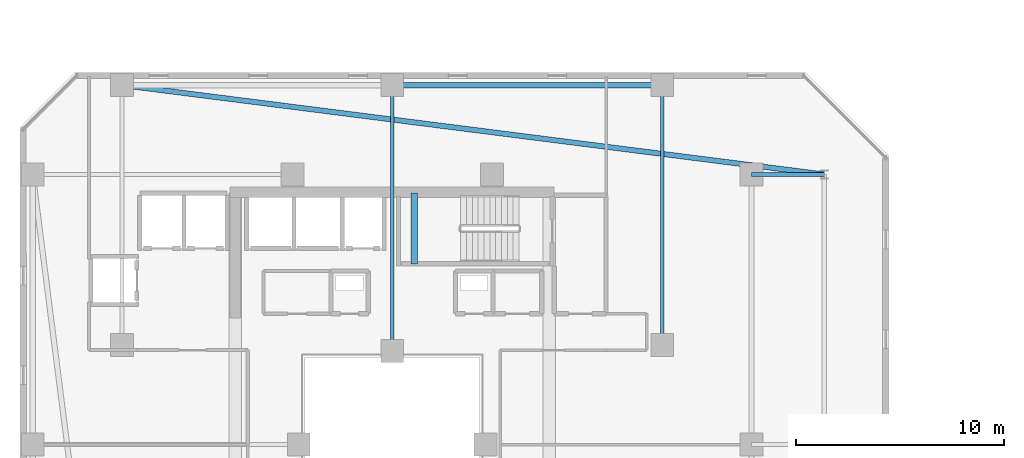
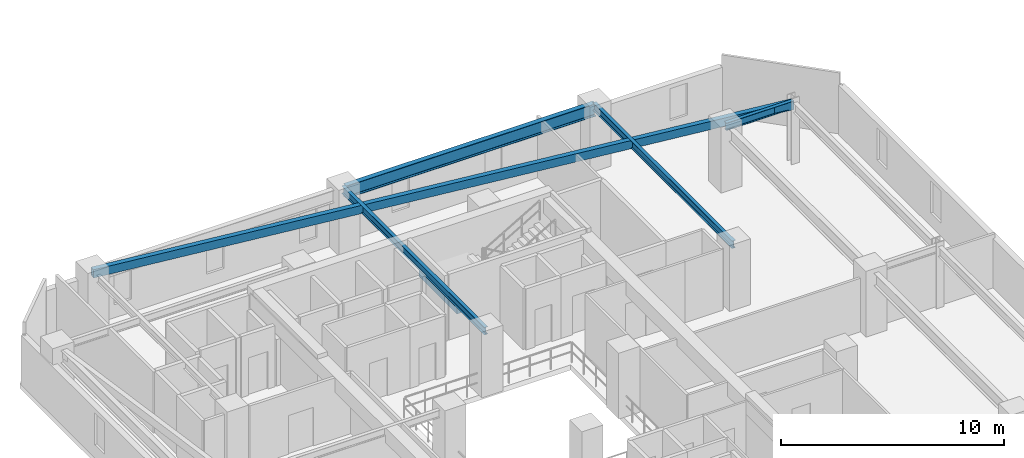
# One storey, part 9 of 32: 6 beams.
"""IFC4 building model written with IfcOpenShell, lengths in metres."""

from ifc_helpers import new_model, si_unit, direction, frame, origin, origin_2d, place, context, subcontext, project, spatial, rectangle, hollow_rectangle, i_section, extrude, material, material_profile, profile_set, type_object, element, save


model = new_model("IFC4")

# Units and contexts
model_context = context("Model", 3, precision=1e-05, world=origin(), true_north=direction((0.0, 1.0)))
body_context = subcontext(model_context, "Body", "Model", "MODEL_VIEW")
ifc_project = project(units=[si_unit("LENGTHUNIT", "METRE"), si_unit("AREAUNIT", "SQUARE_METRE"), si_unit("VOLUMEUNIT", "CUBIC_METRE"), si_unit("PLANEANGLEUNIT", "RADIAN"), si_unit("MASSUNIT", "GRAM", prefix="KILO")], contexts=[model_context])

# Site, building, storey
site_placement = place(None, origin())
site = spatial("IfcSite", under=ifc_project, at=site_placement, CompositionType="ELEMENT")
building_placement = place(site_placement, origin())
building = spatial("IfcBuilding", under=site, at=building_placement, Name="Thornwick Lancets Civic Towers", CompositionType="ELEMENT")
storey_placement = place(building_placement, frame((0.0, 0.0, 152.699951171875)))
storey = spatial("IfcBuildingStorey", under=building, at=storey_placement, Name="L40", CompositionType="ELEMENT", Elevation=152.699951171875)

# Beams
ifc_material_1 = material(Name="Steel S355JR", Category="steel")
ifc_material_profile_1 = material_profile(ifc_material_1, i_section(OverallWidth=0.255859375, OverallDepth=0.69287109375, WebThickness=0.014404296875, FlangeThickness=0.023681640625, FilletRadius=0.01513671875, at=origin_2d()), Name="UKB 686x254x170")
ifc_profile_set_1 = profile_set([ifc_material_profile_1], Name="Steel S355JR")
beam_type_1 = type_object("IfcBeamType", Name="BM_GIRD_686_170", PredefinedType="BEAM", material=ifc_profile_set_1)
beam_1_placement = place(storey_placement, frame((25.580078125, 44.300048828125, 3.013427734375), z_axis=(1.0, 0.0, 0.0), x_axis=(0.0, 1.0, 0.0)))
element("IfcBeam", 1, at=beam_1_placement, inside=storey, type_object=beam_type_1, Name="BM-SPINE-L40-A-7-8", PredefinedType="BEAM", context=body_context, shape_type="SweptSolid", body=[
    extrude(i_section(OverallWidth=0.255859375, OverallDepth=0.69287109375, WebThickness=0.014404296875, FlangeThickness=0.023681640625, FilletRadius=0.01513671875, at=origin_2d()), origin(), (0.0, 0.0, 1.0), 12.919921875),
])
ifc_material_profile_2 = material_profile(ifc_material_1, i_section(OverallWidth=0.179443359375, OverallDepth=0.412841796875, WebThickness=0.009521484375, FlangeThickness=0.01611328125, FilletRadius=0.01025390625, at=origin_2d()), Name="UKB 406x178x74")
ifc_profile_set_2 = profile_set([ifc_material_profile_2], Name="Steel S355JR")
beam_type_2 = type_object("IfcBeamType", Name="BM_JOIST_406_74", PredefinedType="JOIST", material=ifc_profile_set_2)
beam_2_placement = place(storey_placement, frame((42.800048828125, 40.0, 3.153564453125), z_axis=(1.0, 0.0, 0.0), x_axis=(0.0, 1.0, 0.0)))
element("IfcBeam", 2, at=beam_2_placement, inside=storey, type_object=beam_type_2, Name="BM-RAD-L40-A06", PredefinedType="JOIST", context=body_context, shape_type="SweptSolid", body=[
    extrude(i_section(OverallWidth=0.179443359375, OverallDepth=0.412841796875, WebThickness=0.009521484375, FlangeThickness=0.01611328125, FilletRadius=0.01025390625, at=origin_2d()), origin(), (0.0, 0.0, 1.0), 3.5),
])
beam_3_placement = place(storey_placement, frame((25.5, 31.5, 3.153564453125), z_axis=(0.0, 1.0, 0.0), x_axis=(-1.0, 0.0, 0.0)))
element("IfcBeam", 3, at=beam_3_placement, inside=storey, type_object=beam_type_2, Name="BM-RADIN-L40-A08", PredefinedType="JOIST", context=body_context, shape_type="SweptSolid", body=[
    extrude(i_section(OverallWidth=0.179443359375, OverallDepth=0.412841796875, WebThickness=0.009521484375, FlangeThickness=0.01611328125, FilletRadius=0.01025390625, at=origin_2d()), origin(), (0.0, 0.0, 1.0), 12.800048828125),
])
beam_4_placement = place(storey_placement, frame((38.5, 31.800048828125, 3.153564453125), z_axis=(0.0, 1.0, 0.0), x_axis=(-1.0, 0.0, 0.0)))
element("IfcBeam", 4, at=beam_4_placement, inside=storey, type_object=beam_type_2, Name="BM-RADIN-L40-A09", PredefinedType="JOIST", context=body_context, shape_type="SweptSolid", body=[
    extrude(i_section(OverallWidth=0.179443359375, OverallDepth=0.412841796875, WebThickness=0.009521484375, FlangeThickness=0.01611328125, FilletRadius=0.01025390625, at=origin_2d()), origin(), (0.0, 0.0, 1.0), 12.5),
])
ifc_material_profile_3 = material_profile(ifc_material_1, hollow_rectangle(XDim=0.25, YDim=0.449951171875, WallThickness=0.01611328125, at=origin_2d()), Name="RHS 450x250x16")
ifc_profile_set_3 = profile_set([ifc_material_profile_3], Name="Steel S355JR")
beam_type_3 = type_object("IfcBeamType", Name="BM_RING_RHS450", PredefinedType="BEAM", material=ifc_profile_set_3)
beam_5_placement = place(storey_placement, frame((46.300048828125, 40.0, 3.135009765625), z_axis=(-0.992004437051, 0.126202998662, 0.0), x_axis=(-0.126202998662, -0.992004437051, 0.0)))
element("IfcBeam", 5, at=beam_5_placement, inside=storey, type_object=beam_type_3, Name="BM-CHAMF-L40-A-C1", PredefinedType="BEAM", context=body_context, shape_type="SweptSolid", body=[
    extrude(hollow_rectangle(XDim=0.25, YDim=0.449951171875, WallThickness=0.01611328125, at=origin_2d()), origin(), (0.0, 0.0, 1.0), 34.072509765625),
])
ifc_material_2 = material(Name="Concrete C40/50", Category="concrete")
ifc_material_profile_4 = material_profile(ifc_material_2, rectangle(XDim=0.300048828125, YDim=0.35009765625, at=origin_2d()), Name="RC 300x350")
ifc_profile_set_4 = profile_set([ifc_material_profile_4], Name="Concrete C40/50")
beam_type_4 = type_object("IfcBeamType", Name="BM_STAIR_LDG", PredefinedType="BEAM", material=ifc_profile_set_4)
beam_6_placement = place(storey_placement, frame((26.56494140625, 39.10009765625, 1.3779296875), z_axis=(0.0, -1.0, 0.0), x_axis=(1.0, 0.0, 0.0)))
element("IfcBeam", 6, at=beam_6_placement, inside=storey, type_object=beam_type_4, Name="L40 ST-A2 Landing Support Beam 1", PredefinedType="BEAM", context=body_context, shape_type="SweptSolid", body=[
    extrude(rectangle(XDim=0.300048828125, YDim=0.35009765625, at=origin_2d()), origin(), (0.0, 0.0, 1.0), 3.400146484375),
])

save(model, "model.ifc")
